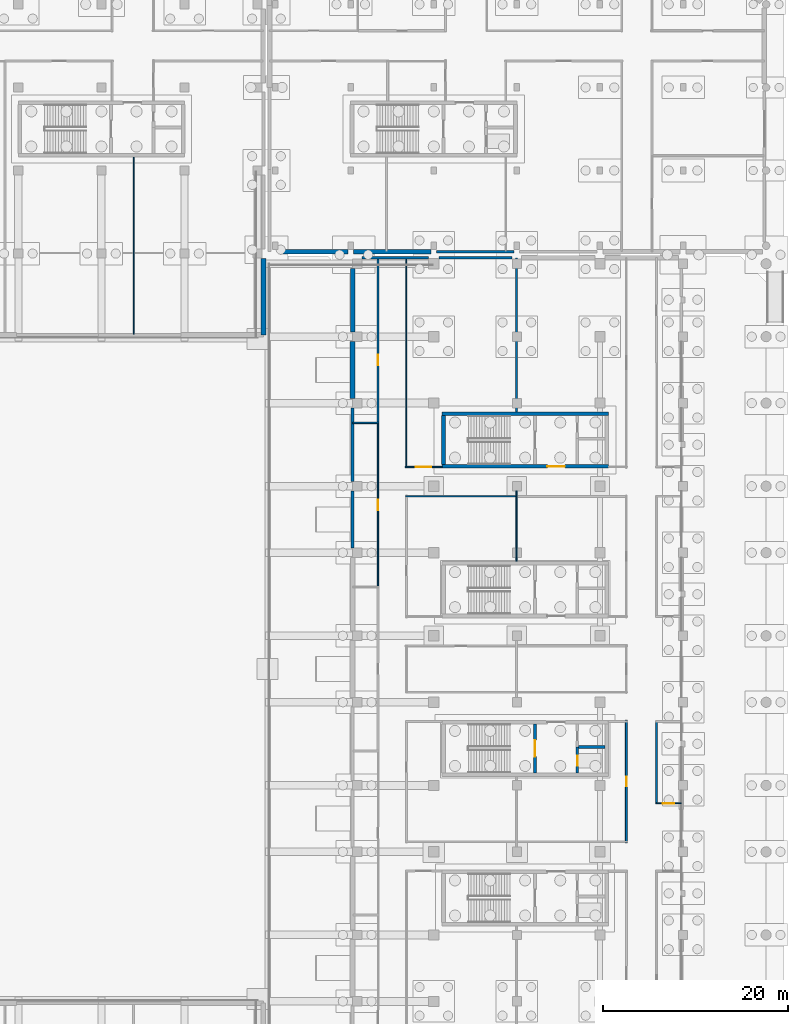
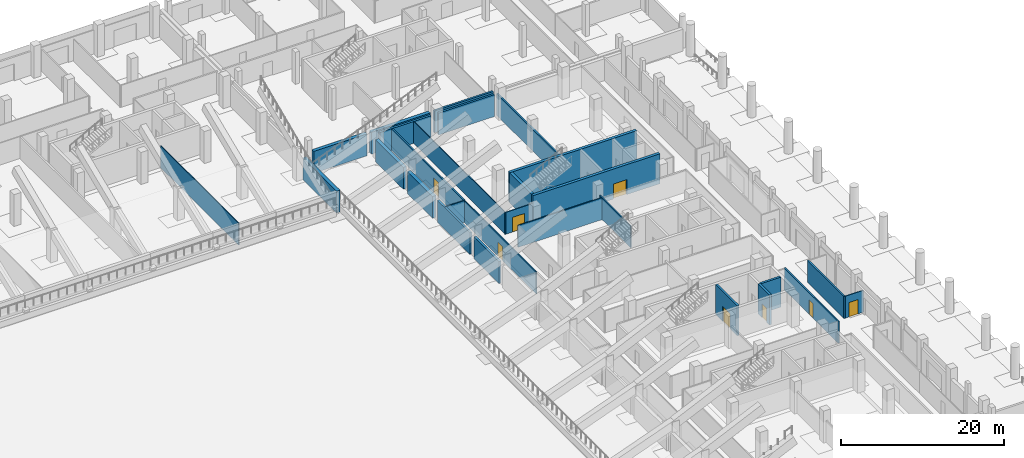
# One storey, part 30 of 53: 28 walls, 8 doors, 8 openings.
"""IFC4 building model written with IfcOpenShell, lengths in metres."""

from ifc_helpers import new_model, si_unit, direction, frame, frame_2d, origin, place, context, subcontext, project, spatial, rectangle, extrude, material, layer, layer_set, type_object, element, fill, save


model = new_model("IFC4")

# Units and contexts
model_context = context("Model", 3, precision=1e-05, world=origin(), true_north=direction((0.0, 1.0)))
body_context = subcontext(model_context, "Body", "Model", "MODEL_VIEW")
ifc_project = project(units=[si_unit("LENGTHUNIT", "METRE"), si_unit("AREAUNIT", "SQUARE_METRE"), si_unit("VOLUMEUNIT", "CUBIC_METRE"), si_unit("PLANEANGLEUNIT", "RADIAN"), si_unit("MASSUNIT", "GRAM", prefix="KILO"), si_unit("THERMODYNAMICTEMPERATUREUNIT", "KELVIN"), si_unit("POWERUNIT", "WATT")], contexts=[model_context])

# Site, building, storey
site_placement = place(None, origin())
site = spatial("IfcSite", under=ifc_project, at=site_placement, CompositionType="ELEMENT")
building_placement = place(site_placement, origin())
building = spatial("IfcBuilding", under=site, at=building_placement, Name="Sindhuravela Promenade Stadium", CompositionType="ELEMENT")
storey_placement = place(building_placement, origin())
storey = spatial("IfcBuildingStorey", under=building, at=storey_placement, Name="L00", CompositionType="ELEMENT", Elevation=0.0)

# Walls
ifc_material_1 = material(Name="Dholpur sandstone ashlar (45 MPa)", Category="masonry")
ifc_layer_1 = layer(ifc_material_1, 0.2900390625)
ifc_layer_set_1 = layer_set([ifc_layer_1], Name="Dholpur sandstone ashlar (45 MPa)")
wall_type_1 = type_object("IfcWallType", Name="EX-WL-SND290", PredefinedType="SOLIDWALL", material=ifc_layer_set_1)
wall_1_placement = place(storey_placement, frame((171.199951171875, 101.304931640625, 0.0), z_axis=(0.0, 0.0, 1.0), x_axis=(0.0, 1.0, 0.0)))
element("IfcWall", 1, at=wall_1_placement, inside=storey, type_object=wall_type_1, Name="Exterior masonry wall EW10 EAST L00", PredefinedType="SOLIDWALL", context=body_context, shape_type="SweptSolid", body=[
    extrude(rectangle(XDim=7.989990234375, YDim=0.2900390625, at=frame_2d((3.9951171875, 0.0))), origin(), (0.0, 0.0, 1.0), 3.280029296875),
])
wall_2_placement = place(storey_placement, frame((180.554931640625, 125.550048828125, 0.0), z_axis=(0.0, 0.0, 1.0), x_axis=(1.0, 0.0, 0.0)))
element("IfcWall", 2, at=wall_2_placement, inside=storey, type_object=wall_type_1, Name="Exterior masonry wall EW10 EAST L00", PredefinedType="SOLIDWALL", context=body_context, shape_type="SweptSolid", body=[
    extrude(rectangle(XDim=7.940185546875, YDim=0.2900390625, at=frame_2d((3.97021484375, 0.0))), origin(), (0.0, 0.0, 1.0), 3.280029296875),
])
wall_3_placement = place(storey_placement, frame((188.695068359375, 126.199951171875, 0.0), z_axis=(0.0, 0.0, 1.0), x_axis=(-1.0, 0.0, 0.0)))
element("IfcWall", 3, at=wall_3_placement, inside=storey, type_object=wall_type_1, Name="Exterior masonry wall EW10 Pavilion NE L00", PredefinedType="SOLIDWALL", context=body_context, shape_type="SweptSolid", body=[
    extrude(rectangle(XDim=8.39013671875, YDim=0.2900390625, at=frame_2d((4.195068359375, 0.0))), origin(), (0.0, 0.0, 1.0), 3.280029296875),
])
ifc_layer_2 = layer(ifc_material_1, 0.31005859375)
ifc_layer_set_2 = layer_set([ifc_layer_2], Name="Dholpur sandstone ashlar (45 MPa)")
wall_type_2 = type_object("IfcWallType", Name="EX-WL-SND310", PredefinedType="SOLIDWALL", material=ifc_layer_set_2)
wall_4_placement = place(storey_placement, frame((171.199951171875, 94.10498046875, 0.0), z_axis=(0.0, 0.0, 1.0), x_axis=(0.0, 1.0, 0.0)))
element("IfcWall", 4, at=wall_4_placement, inside=storey, type_object=wall_type_2, Name="Exterior masonry wall EW09 EAST L00", PredefinedType="SOLIDWALL", context=body_context, shape_type="SweptSolid", body=[
    extrude(rectangle(XDim=6.18994140625, YDim=0.31005859375, at=frame_2d((3.094970703125, 0.0))), origin(), (0.0, 0.0, 1.0), 3.280029296875),
])
wall_5_placement = place(storey_placement, frame((172.205078125, 125.550048828125, 0.0), z_axis=(0.0, 0.0, 1.0), x_axis=(1.0, 0.0, 0.0)))
element("IfcWall", 5, at=wall_5_placement, inside=storey, type_object=wall_type_2, Name="Exterior masonry wall EW09 EAST L00", PredefinedType="SOLIDWALL", context=body_context, shape_type="SweptSolid", body=[
    extrude(rectangle(XDim=7.239990234375, YDim=0.31005859375, at=frame_2d((3.6201171875, 0.0))), origin(), (0.0, 0.0, 1.0), 3.280029296875),
])
ifc_layer_3 = layer(ifc_material_1, 0.47998046875)
ifc_layer_set_3 = layer_set([ifc_layer_3], Name="Dholpur sandstone ashlar (45 MPa)")
wall_type_3 = type_object("IfcWallType", Name="EX-WL-SND480", PredefinedType="SOLIDWALL", material=ifc_layer_set_3)
wall_6_placement = place(storey_placement, frame((171.199951171875, 117.5048828125, 0.0), z_axis=(0.0, 0.0, 1.0), x_axis=(0.0, 1.0, 0.0)))
element("IfcWall", 6, at=wall_6_placement, inside=storey, type_object=wall_type_3, Name="Exterior masonry wall EW08 EAST L00", PredefinedType="SOLIDWALL", context=body_context, shape_type="SweptSolid", body=[
    extrude(rectangle(XDim=6.89013671875, YDim=0.47998046875, at=frame_2d((3.445068359375, 0.0))), origin(), (0.0, 0.0, 1.0), 3.280029296875),
])
wall_7_placement = place(storey_placement, frame((170.695068359375, 126.199951171875, 0.0), z_axis=(0.0, 0.0, 1.0), x_axis=(-1.0, 0.0, 0.0)))
element("IfcWall", 7, at=wall_7_placement, inside=storey, type_object=wall_type_3, Name="Exterior masonry wall EW08 Pavilion NE L00", PredefinedType="SOLIDWALL", context=body_context, shape_type="SweptSolid", body=[
    extrude(rectangle(XDim=7.5400390625, YDim=0.47998046875, at=frame_2d((3.77001953125, 0.0))), origin(), (0.0, 0.0, 1.0), 3.280029296875),
])
ifc_layer_4 = layer(ifc_material_1, 0.5)
ifc_layer_set_4 = layer_set([ifc_layer_4], Name="Dholpur sandstone ashlar (45 MPa)")
wall_type_4 = type_object("IfcWallType", Name="EX-WL-SND500", PredefinedType="SOLIDWALL", material=ifc_layer_set_4)
wall_8_placement = place(storey_placement, frame((171.199951171875, 110.304931640625, 0.0), z_axis=(0.0, 0.0, 1.0), x_axis=(0.0, 1.0, 0.0)))
element("IfcWall", 8, at=wall_8_placement, inside=storey, type_object=wall_type_4, Name="Exterior masonry wall EW07 EAST L00", PredefinedType="SOLIDWALL", context=body_context, shape_type="SweptSolid", body=[
    extrude(rectangle(XDim=6.190185546875, YDim=0.5, at=frame_2d((3.09521484375, 0.0))), origin(), (0.0, 0.0, 1.0), 3.280029296875),
])
wall_9_placement = place(storey_placement, frame((161.550048828125, 125.4951171875, 0.0), z_axis=(0.0, 0.0, 1.0), x_axis=(0.0, -1.0, 0.0)))
element("IfcWall", 9, at=wall_9_placement, inside=storey, type_object=wall_type_4, Name="Exterior masonry wall EW07 NORTH L00", PredefinedType="SOLIDWALL", context=body_context, shape_type="SweptSolid", body=[
    extrude(rectangle(XDim=8.295166015625, YDim=0.5, at=frame_2d((4.1474609375, 0.0))), origin(), (0.0, 0.0, 1.0), 3.280029296875),
])
wall_10_placement = place(storey_placement, frame((179.695068359375, 126.199951171875, 0.0), z_axis=(0.0, 0.0, 1.0), x_axis=(-1.0, 0.0, 0.0)))
element("IfcWall", 10, at=wall_10_placement, inside=storey, type_object=wall_type_4, Name="Exterior masonry wall EW07 Pavilion NE L00", PredefinedType="SOLIDWALL", context=body_context, shape_type="SweptSolid", body=[
    extrude(rectangle(XDim=8.39013671875, YDim=0.5, at=frame_2d((4.195068359375, 0.0))), origin(), (0.0, 0.0, 1.0), 3.280029296875),
])
ifc_material_2 = material(Name="Fire-rated gypsum partition board", Category="gypsum")
ifc_layer_5 = layer(ifc_material_2, 0.110107421875)
ifc_layer_set_5 = layer_set([ifc_layer_5], Name="Fire-rated gypsum partition board")
wall_type_5 = type_object("IfcWallType", Name="IN-WL-PAR110", PredefinedType="PARTITIONING", material=ifc_layer_set_5)
wall_11_placement = place(storey_placement, frame((177.0400390625, 102.81005859375, 0.0), z_axis=(0.0, 0.0, 1.0), x_axis=(0.0, 1.0, 0.0)))
element("IfcWall", 11, at=wall_11_placement, inside=storey, type_object=wall_type_5, Name="Interior partition IW06 EAST L00", PredefinedType="PARTITIONING", context=body_context, shape_type="SweptSolid", body=[
    extrude(rectangle(XDim=22.699951171875, YDim=0.110107421875, at=frame_2d((11.35009765625, 0.0))), origin(), (0.0, 0.0, 1.0), 3.280029296875),
])

# Wall, opening, door
wall_12_placement = place(storey_placement, frame((204.02001953125, 66.43994140625, 0.0), z_axis=(0.0, 0.0, 1.0), x_axis=(1.0, 0.0, 0.0)))
wall_12 = element("IfcWall", 12, at=wall_12_placement, inside=storey, type_object=wall_type_5, Name="Corridor partition IW06 Catering Receiving Kitchen 14", PredefinedType="PARTITIONING", context=body_context, shape_type="SweptSolid", body=[
    extrude(rectangle(XDim=2.780029296875, YDim=0.110107421875, at=frame_2d((1.39013671875, 0.0))), origin(), (0.0, 0.0, 1.0), 3.280029296875),
])
opening_1_placement = place(wall_12_placement, frame((0.764892578125, 0.0, 0.0)))
opening_1 = element("IfcOpeningElement", 13, at=opening_1_placement, cuts=wall_12, Name="Opening ID04", PredefinedType="OPENING", context=body_context, shape_type="SweptSolid", body=[
    extrude(rectangle(XDim=1.25, YDim=2.14990234375, at=frame_2d((0.625, 1.074951171875))), frame((0.0, 0.06494140625, 0.0), z_axis=(0.0, -1.0, 0.0), x_axis=(1.0, 0.0, 0.0)), (0.0, 0.0, 1.0), 0.130126953125),
])
ifc_material_3 = material(Name="Architectural teak timber leaf", Category="wood")
door_type_1 = type_object("IfcDoorType", Name="DR-INT-1250x2150", OperationType="NOTDEFINED", PredefinedType="DOOR", material=ifc_material_3)
door_1_placement = place(opening_1_placement, origin())
door_1 = element("IfcDoor", 14, at=door_1_placement, inside=storey, type_object=door_type_1, Name="Catering Receiving Kitchen 14 door", OperationType="SINGLE_SWING_RIGHT", OverallHeight=2.14990234375, OverallWidth=1.25, PredefinedType="DOOR", context=body_context, shape_type="SweptSolid", body=[
    extrude(rectangle(XDim=1.25, YDim=2.14990234375, at=frame_2d((0.625, 1.074951171875))), frame((0.0, 0.02490234375, 0.0), z_axis=(0.0, -1.0, 0.0), x_axis=(1.0, 0.0, 0.0)), (0.0, 0.0, 1.0), 0.050048828125),
])
fill(opening_1, door_1)

# Wall
wall_13_placement = place(storey_placement, frame((147.482421875, 117.239990234375, 0.0), z_axis=(0.0, 0.0, 1.0), x_axis=(0.0, 1.0, 0.0)))
element("IfcWall", 15, at=wall_13_placement, inside=storey, type_object=wall_type_5, Name="Interior partition IW06 NORTH L00", PredefinedType="PARTITIONING", context=body_context, shape_type="SweptSolid", body=[
    extrude(rectangle(XDim=19.2080078125, YDim=0.110107421875, at=frame_2d((9.60400390625, 0.0))), origin(), (0.0, 0.0, 1.0), 3.280029296875),
])

# Wall, opening, door
ifc_layer_6 = layer(ifc_material_2, 0.1298828125)
ifc_layer_set_6 = layer_set([ifc_layer_6], Name="Fire-rated gypsum partition board")
wall_type_6 = type_object("IfcWallType", Name="IN-WL-PAR130", PredefinedType="PARTITIONING", material=ifc_layer_set_6)
wall_14_placement = place(storey_placement, frame((176.919921875, 102.889892578125, 0.0), z_axis=(0.0, 0.0, 1.0), x_axis=(1.0, 0.0, 0.0)))
wall_14 = element("IfcWall", 16, at=wall_14_placement, inside=storey, type_object=wall_type_6, Name="Corridor partition IW05 Supporters Entrance Hall", PredefinedType="PARTITIONING", context=body_context, shape_type="SweptSolid", body=[
    extrude(rectangle(XDim=3.97802734375, YDim=0.1298828125, at=frame_2d((1.989013671875, 0.0))), origin(), (0.0, 0.0, 1.0), 3.280029296875),
])
opening_2_placement = place(wall_14_placement, frame((1.10009765625, 0.0, 0.0)))
opening_2 = element("IfcOpeningElement", 17, at=opening_2_placement, cuts=wall_14, Name="Opening ID01", PredefinedType="OPENING", context=body_context, shape_type="SweptSolid", body=[
    extrude(rectangle(XDim=1.699951171875, YDim=2.199951171875, at=frame_2d((0.85009765625, 1.10009765625))), frame((0.0, 0.074951171875, 0.0), z_axis=(0.0, -1.0, 0.0), x_axis=(1.0, 0.0, 0.0)), (0.0, 0.0, 1.0), 0.14990234375),
])
door_type_2 = type_object("IfcDoorType", Name="DR-INT-1700x2200", OperationType="DOUBLE_DOOR_SINGLE_SWING", PredefinedType="DOOR", material=ifc_material_3)
door_2_placement = place(opening_2_placement, origin())
door_2 = element("IfcDoor", 18, at=door_2_placement, inside=storey, type_object=door_type_2, Name="Supporters Entrance Hall door", OperationType="DOUBLE_DOOR_SINGLE_SWING", OverallHeight=2.199951171875, OverallWidth=1.699951171875, PredefinedType="DOOR", context=body_context, shape_type="SweptSolid", body=[
    extrude(rectangle(XDim=1.699951171875, YDim=2.199951171875, at=frame_2d((0.85009765625, 1.10009765625))), frame((0.0, 0.02490234375, 0.0), z_axis=(0.0, -1.0, 0.0), x_axis=(1.0, 0.0, 0.0)), (0.0, 0.0, 1.0), 0.050048828125),
])
fill(opening_2, door_2)

# Walls
wall_15_placement = place(storey_placement, frame((188.949951171875, 100.298095703125, 0.0), z_axis=(0.0, 0.0, 1.0), x_axis=(0.0, -1.0, 0.0)))
element("IfcWall", 19, at=wall_15_placement, inside=storey, type_object=wall_type_6, Name="Interior partition IW05 EAST L00", PredefinedType="PARTITIONING", context=body_context, shape_type="SweptSolid", body=[
    extrude(rectangle(XDim=7.64599609375, YDim=0.1298828125, at=frame_2d((3.822998046875, 0.0))), origin(), (0.0, 0.0, 1.0), 3.280029296875),
])
ifc_layer_7 = layer(ifc_material_2, 0.14990234375)
ifc_layer_set_7 = layer_set([ifc_layer_7], Name="Fire-rated gypsum partition board")
wall_type_7 = type_object("IfcWallType", Name="IN-WL-PAR150", PredefinedType="PARTITIONING", material=ifc_layer_set_7)
wall_16_placement = place(storey_placement, frame((176.9599609375, 99.7099609375, 0.0), z_axis=(0.0, 0.0, 1.0), x_axis=(1.0, 0.0, 0.0)))
element("IfcWall", 20, at=wall_16_placement, inside=storey, type_object=wall_type_7, Name="Interior partition IW04 EAST L00", PredefinedType="PARTITIONING", context=body_context, shape_type="SweptSolid", body=[
    extrude(rectangle(XDim=11.949951171875, YDim=0.14990234375, at=frame_2d((5.97509765625, 0.0))), origin(), (0.0, 0.0, 1.0), 3.280029296875),
])

# Wall, opening, door
wall_17_placement = place(storey_placement, frame((173.9599609375, 89.885986328125, 0.0), z_axis=(0.0, 0.0, 1.0), x_axis=(0.0, 1.0, 0.0)))
wall_17 = element("IfcWall", 21, at=wall_17_placement, inside=storey, type_object=wall_type_7, Name="Corridor partition IW04 Catering Receiving Kitchen 6", PredefinedType="PARTITIONING", context=body_context, shape_type="SweptSolid", body=[
    extrude(rectangle(XDim=17.77197265625, YDim=0.14990234375, at=frame_2d((8.885986328125, 0.0))), origin(), (0.0, 0.0, 1.0), 3.280029296875),
])
opening_3_placement = place(wall_17_placement, frame((8.3359375, 0.0, 0.0)))
opening_3 = element("IfcOpeningElement", 22, at=opening_3_placement, cuts=wall_17, Name="Opening ID06", PredefinedType="OPENING", context=body_context, shape_type="SweptSolid", body=[
    extrude(rectangle(XDim=1.10009765625, YDim=2.10009765625, at=frame_2d((0.550048828125, 1.050048828125))), frame((0.0, 0.0849609375, 0.0), z_axis=(0.0, -1.0, 0.0), x_axis=(1.0, 0.0, 0.0)), (0.0, 0.0, 1.0), 0.169921875),
])
door_type_3 = type_object("IfcDoorType", Name="DR-INT-1100x2100", OperationType="NOTDEFINED", PredefinedType="DOOR", material=ifc_material_3)
door_3_placement = place(opening_3_placement, origin())
door_3 = element("IfcDoor", 23, at=door_3_placement, inside=storey, type_object=door_type_3, Name="Catering Receiving Kitchen 6 door", OperationType="SINGLE_SWING_RIGHT", OverallHeight=2.10009765625, OverallWidth=1.10009765625, PredefinedType="DOOR", context=body_context, shape_type="SweptSolid", body=[
    extrude(rectangle(XDim=1.10009765625, YDim=2.10009765625, at=frame_2d((0.550048828125, 1.050048828125))), frame((0.0, 0.02490234375, 0.0), z_axis=(0.0, -1.0, 0.0), x_axis=(1.0, 0.0, 0.0)), (0.0, 0.0, 1.0), 0.050048828125),
])
fill(opening_3, door_3)

# Wall
ifc_layer_8 = layer(ifc_material_2, 0.175048828125)
ifc_layer_set_8 = layer_set([ifc_layer_8], Name="Fire-rated gypsum partition board")
wall_type_8 = type_object("IfcWallType", Name="IN-WL-PAR175", PredefinedType="PARTITIONING", material=ifc_layer_set_8)
wall_18_placement = place(storey_placement, frame((174.0400390625, 107.657958984375, 0.0), z_axis=(0.0, 0.0, 1.0), x_axis=(-1.0, 0.0, 0.0)))
element("IfcWall", 24, at=wall_18_placement, inside=storey, type_object=wall_type_8, Name="Interior partition IW03 EAST L00", PredefinedType="PARTITIONING", context=body_context, shape_type="SweptSolid", body=[
    extrude(rectangle(XDim=2.800048828125, YDim=0.175048828125, at=frame_2d((1.39990234375, 0.0))), origin(), (0.0, 0.0, 1.0), 3.280029296875),
])

# Wall, opening, door
ifc_layer_9 = layer(ifc_material_2, 0.195068359375)
ifc_layer_set_9 = layer_set([ifc_layer_9], Name="Fire-rated gypsum partition board")
wall_type_9 = type_object("IfcWallType", Name="IN-WL-PAR195", PredefinedType="PARTITIONING", material=ifc_layer_set_9)
wall_19_placement = place(storey_placement, frame((200.860107421875, 62.169921875, 0.0), z_axis=(0.0, 0.0, 1.0), x_axis=(0.0, 1.0, 0.0)))
wall_19 = element("IfcWall", 25, at=wall_19_placement, inside=storey, type_object=wall_type_9, Name="Corridor partition IW02 Public Toilet Block East L00", PredefinedType="PARTITIONING", context=body_context, shape_type="SweptSolid", body=[
    extrude(rectangle(XDim=13.260009765625, YDim=0.195068359375, at=frame_2d((6.6298828125, 0.0))), origin(), (0.0, 0.0, 1.0), 3.280029296875),
])
opening_4_placement = place(wall_19_placement, frame((6.1201171875, 0.0, 0.0)))
opening_4 = element("IfcOpeningElement", 26, at=opening_4_placement, cuts=wall_19, Name="Opening ID11", PredefinedType="OPENING", context=body_context, shape_type="SweptSolid", body=[
    extrude(rectangle(XDim=1.02001953125, YDim=2.159912109375, at=frame_2d((0.510009765625, 1.080078125))), frame((0.0, 0.107421875, 0.0), z_axis=(0.0, -1.0, 0.0), x_axis=(1.0, 0.0, 0.0)), (0.0, 0.0, 1.0), 0.215087890625),
])
door_type_4 = type_object("IfcDoorType", Name="DR-INT-1020x2160", OperationType="NOTDEFINED", PredefinedType="DOOR", material=ifc_material_3)
door_4_placement = place(opening_4_placement, origin())
door_4 = element("IfcDoor", 27, at=door_4_placement, inside=storey, type_object=door_type_4, Name="Public Toilet Block East L00 door", OperationType="SINGLE_SWING_LEFT", OverallHeight=2.159912109375, OverallWidth=1.02001953125, PredefinedType="DOOR", context=body_context, shape_type="SweptSolid", body=[
    extrude(rectangle(XDim=1.02001953125, YDim=2.159912109375, at=frame_2d((0.510009765625, 1.080078125))), frame((0.0, 0.02490234375, 0.0), z_axis=(0.0, -1.0, 0.0), x_axis=(1.0, 0.0, 0.0)), (0.0, 0.0, 1.0), 0.050048828125),
])
fill(opening_4, door_4)

wall_20_placement = place(storey_placement, frame((173.9599609375, 107.657958984375, 0.0), z_axis=(0.0, 0.0, 1.0), x_axis=(0.0, 1.0, 0.0)))
wall_20 = element("IfcWall", 28, at=wall_20_placement, inside=storey, type_object=wall_type_9, Name="Corridor partition IW02 Sports Museum Foyer 5", PredefinedType="PARTITIONING", context=body_context, shape_type="SweptSolid", body=[
    extrude(rectangle(XDim=17.89208984375, YDim=0.195068359375, at=frame_2d((8.946044921875, 0.0))), origin(), (0.0, 0.0, 1.0), 3.280029296875),
])
opening_5_placement = place(wall_20_placement, frame((6.252685546875, 0.0, 0.0)))
opening_5 = element("IfcOpeningElement", 29, at=opening_5_placement, cuts=wall_20, Name="Opening ID05", PredefinedType="OPENING", context=body_context, shape_type="SweptSolid", body=[
    extrude(rectangle(XDim=1.14990234375, YDim=2.14990234375, at=frame_2d((0.574951171875, 1.074951171875))), frame((0.0, 0.107421875, 0.0), z_axis=(0.0, -1.0, 0.0), x_axis=(1.0, 0.0, 0.0)), (0.0, 0.0, 1.0), 0.215087890625),
])
door_type_5 = type_object("IfcDoorType", Name="DR-INT-1150x2150", OperationType="NOTDEFINED", PredefinedType="DOOR", material=ifc_material_3)
door_5_placement = place(opening_5_placement, origin())
door_5 = element("IfcDoor", 30, at=door_5_placement, inside=storey, type_object=door_type_5, Name="Sports Museum Foyer 5 door", OperationType="SINGLE_SWING_LEFT", OverallHeight=2.14990234375, OverallWidth=1.14990234375, PredefinedType="DOOR", context=body_context, shape_type="SweptSolid", body=[
    extrude(rectangle(XDim=1.14990234375, YDim=2.14990234375, at=frame_2d((0.574951171875, 1.074951171875))), frame((0.0, 0.02490234375, 0.0), z_axis=(0.0, -1.0, 0.0), x_axis=(1.0, 0.0, 0.0)), (0.0, 0.0, 1.0), 0.050048828125),
])
fill(opening_5, door_5)

# Walls
ifc_layer_10 = layer(ifc_material_2, 0.219970703125)
ifc_layer_set_10 = layer_set([ifc_layer_10], Name="Fire-rated gypsum partition board")
wall_type_10 = type_object("IfcWallType", Name="IN-WL-PAR220", PredefinedType="PARTITIONING", material=ifc_layer_set_10)
wall_21_placement = place(storey_placement, frame((188.949951171875, 125.510009765625, 0.0), z_axis=(0.0, 0.0, 1.0), x_axis=(0.0, -1.0, 0.0)))
element("IfcWall", 31, at=wall_21_placement, inside=storey, type_object=wall_type_10, Name="Interior partition IW01 EAST L00", PredefinedType="PARTITIONING", context=body_context, shape_type="SweptSolid", body=[
    extrude(rectangle(XDim=16.657958984375, YDim=0.219970703125, at=frame_2d((8.3291015625, 0.0))), origin(), (0.0, 0.0, 1.0), 3.280029296875),
])
wall_22_placement = place(storey_placement, frame((204.139892578125, 66.360107421875, 0.0), z_axis=(0.0, 0.0, 1.0), x_axis=(0.0, 1.0, 0.0)))
element("IfcWall", 32, at=wall_22_placement, inside=storey, type_object=wall_type_10, Name="Interior partition IW01 EAST L00", PredefinedType="PARTITIONING", context=body_context, shape_type="SweptSolid", body=[
    extrude(rectangle(XDim=9.02978515625, YDim=0.219970703125, at=frame_2d((4.514892578125, 0.0))), origin(), (0.0, 0.0, 1.0), 3.280029296875),
])

# Wall, opening, door
ifc_material_4 = material(Name="Concrete M50", Category="concrete")
ifc_layer_11 = layer(ifc_material_4, 0.300048828125)
ifc_layer_set_11 = layer_set([ifc_layer_11], Name="Concrete M50")
wall_type_11 = type_object("IfcWallType", Name="RC-SW-300", PredefinedType="SHEAR", material=ifc_layer_set_11)
wall_23_placement = place(storey_placement, frame((190.949951171875, 69.75, 0.0), z_axis=(0.0, 0.0, 1.0), x_axis=(0.0, 1.0, 0.0)))
wall_23 = element("IfcWall", 33, at=wall_23_placement, inside=storey, type_object=wall_type_11, Name="Core shear wall C06-ST (L00)", PredefinedType="SHEAR", context=body_context, shape_type="SweptSolid", body=[
    extrude(rectangle(XDim=5.300048828125, YDim=0.300048828125, at=frame_2d((2.64990234375, 0.0))), origin(), (0.0, 0.0, 1.0), 4.5),
])
opening_6_placement = place(wall_23_placement, frame((1.75, 0.0, 0.0)))
opening_6 = element("IfcOpeningElement", 34, at=opening_6_placement, cuts=wall_23, Name="Opening FD01", PredefinedType="OPENING", context=body_context, shape_type="SweptSolid", body=[
    extrude(rectangle(XDim=1.800048828125, YDim=2.25, at=frame_2d((0.89990234375, 1.125))), frame((0.0, 0.159912109375, 0.0), z_axis=(0.0, -1.0, 0.0), x_axis=(1.0, 0.0, 0.0)), (0.0, 0.0, 1.0), 0.320068359375),
])
ifc_material_5 = material(Name="Architectural wrought steel E350", Category="steel")
door_type_6 = type_object("IfcDoorType", Name="DR-CORE-1800x2250", OperationType="DOUBLE_DOOR_SINGLE_SWING", PredefinedType="DOOR", material=ifc_material_5)
door_6_placement = place(opening_6_placement, origin())
door_6 = element("IfcDoor", 35, at=door_6_placement, inside=storey, type_object=door_type_6, Name="Stair ST06 lobby fire door (L00)", OperationType="DOUBLE_DOOR_SINGLE_SWING", OverallHeight=2.25, OverallWidth=1.800048828125, PredefinedType="DOOR", context=body_context, shape_type="SweptSolid", body=[
    extrude(rectangle(XDim=1.800048828125, YDim=2.25, at=frame_2d((0.89990234375, 1.125))), frame((0.0, 0.02490234375, 0.0), z_axis=(0.0, -1.0, 0.0), x_axis=(1.0, 0.0, 0.0)), (0.0, 0.0, 1.0), 0.050048828125),
])
fill(opening_6, door_6)

wall_24_placement = place(storey_placement, frame((195.550048828125, 69.75, 0.0), z_axis=(0.0, 0.0, 1.0), x_axis=(0.0, 1.0, 0.0)))
wall_24 = element("IfcWall", 36, at=wall_24_placement, inside=storey, type_object=wall_type_11, Name="Core shear wall C06-LFT (L00)", PredefinedType="SHEAR", context=body_context, shape_type="SweptSolid", body=[
    extrude(rectangle(XDim=2.800048828125, YDim=0.300048828125, at=frame_2d((1.39990234375, 0.0))), origin(), (0.0, 0.0, 1.0), 4.5),
])
opening_7_placement = place(wall_24_placement, frame((0.77490234375, 0.0, 0.0)))
opening_7 = element("IfcOpeningElement", 37, at=opening_7_placement, cuts=wall_24, Name="Opening LD", PredefinedType="OPENING", context=body_context, shape_type="SweptSolid", body=[
    extrude(rectangle(XDim=1.10009765625, YDim=2.10009765625, at=frame_2d((0.550048828125, 1.050048828125))), frame((0.0, 0.159912109375, 0.0), z_axis=(0.0, -1.0, 0.0), x_axis=(1.0, 0.0, 0.0)), (0.0, 0.0, 1.0), 0.320068359375),
])
door_type_7 = type_object("IfcDoorType", Name="DR-LFT-1100x2100", OperationType="DOUBLE_DOOR_SLIDING", PredefinedType="DOOR", material=ifc_material_5)
door_7_placement = place(opening_7_placement, origin())
door_7 = element("IfcDoor", 38, at=door_7_placement, inside=storey, type_object=door_type_7, Name="Lift PL02 landing door (L00)", OperationType="DOUBLE_DOOR_SLIDING", OverallHeight=2.10009765625, OverallWidth=1.10009765625, PredefinedType="DOOR", context=body_context, shape_type="SweptSolid", body=[
    extrude(rectangle(XDim=1.10009765625, YDim=2.10009765625, at=frame_2d((0.550048828125, 1.050048828125))), frame((0.0, 0.02490234375, 0.0), z_axis=(0.0, -1.0, 0.0), x_axis=(1.0, 0.0, 0.0)), (0.0, 0.0, 1.0), 0.050048828125),
])
fill(opening_7, door_7)

# Wall
wall_25_placement = place(storey_placement, frame((195.699951171875, 72.550048828125, 0.0), z_axis=(0.0, 0.0, 1.0), x_axis=(1.0, 0.0, 0.0)))
element("IfcWall", 39, at=wall_25_placement, inside=storey, type_object=wall_type_11, Name="Core shear wall C06-DIV (L00)", PredefinedType="SHEAR", context=body_context, shape_type="SweptSolid", body=[
    extrude(rectangle(XDim=2.85009765625, YDim=0.300048828125, at=frame_2d((1.425048828125, 0.0))), origin(), (0.0, 0.0, 1.0), 4.5),
])

# Wall, opening, door
ifc_layer_12 = layer(ifc_material_4, 0.39990234375)
ifc_layer_set_12 = layer_set([ifc_layer_12], Name="Concrete M50")
wall_type_12 = type_object("IfcWallType", Name="RC-SW-400", PredefinedType="SHEAR", material=ifc_layer_set_12)
wall_26_placement = place(storey_placement, frame((180.89990234375, 102.949951171875, 0.0), z_axis=(0.0, 0.0, 1.0), x_axis=(1.0, 0.0, 0.0)))
wall_26 = element("IfcWall", 40, at=wall_26_placement, inside=storey, type_object=wall_type_12, Name="Core shear wall C08-S (L00)", PredefinedType="SHEAR", context=body_context, shape_type="SweptSolid", body=[
    extrude(rectangle(XDim=18.0, YDim=0.39990234375, at=frame_2d((9.0, 0.0))), origin(), (0.0, 0.0, 1.0), 4.5),
])
opening_8_placement = place(wall_26_placement, frame((11.39990234375, 0.0, 0.0)))
opening_8 = element("IfcOpeningElement", 41, at=opening_8_placement, cuts=wall_26, Name="Opening FD02", PredefinedType="OPENING", context=body_context, shape_type="SweptSolid", body=[
    extrude(rectangle(XDim=1.89990234375, YDim=2.25, at=frame_2d((0.949951171875, 1.125))), frame((0.0, 0.2099609375, 0.0), z_axis=(0.0, -1.0, 0.0), x_axis=(1.0, 0.0, 0.0)), (0.0, 0.0, 1.0), 0.419921875),
])
door_type_8 = type_object("IfcDoorType", Name="DR-LOB-1900x2250", OperationType="DOUBLE_DOOR_SINGLE_SWING", PredefinedType="DOOR", material=ifc_material_5)
door_8_placement = place(opening_8_placement, origin())
door_8 = element("IfcDoor", 42, at=door_8_placement, inside=storey, type_object=door_type_8, Name="Protected lobby entrance door C08 (L00)", OperationType="DOUBLE_DOOR_SINGLE_SWING", OverallHeight=2.25, OverallWidth=1.89990234375, PredefinedType="DOOR", context=body_context, shape_type="SweptSolid", body=[
    extrude(rectangle(XDim=1.89990234375, YDim=2.25, at=frame_2d((0.949951171875, 1.125))), frame((0.0, 0.02490234375, 0.0), z_axis=(0.0, -1.0, 0.0), x_axis=(1.0, 0.0, 0.0)), (0.0, 0.0, 1.0), 0.050048828125),
])
fill(opening_8, door_8)

# Walls
wall_27_placement = place(storey_placement, frame((198.89990234375, 108.64990234375, 0.0), z_axis=(0.0, 0.0, 1.0), x_axis=(-1.0, 0.0, 0.0)))
element("IfcWall", 43, at=wall_27_placement, inside=storey, type_object=wall_type_12, Name="Core shear wall C08-N (L00)", PredefinedType="SHEAR", context=body_context, shape_type="SweptSolid", body=[
    extrude(rectangle(XDim=18.0, YDim=0.39990234375, at=frame_2d((9.0, 0.0))), origin(), (0.0, 0.0, 1.0), 4.5),
])
wall_28_placement = place(storey_placement, frame((181.050048828125, 108.449951171875, 0.0), z_axis=(0.0, 0.0, 1.0), x_axis=(0.0, -1.0, 0.0)))
element("IfcWall", 44, at=wall_28_placement, inside=storey, type_object=wall_type_12, Name="Core shear wall C08-W (L00)", PredefinedType="SHEAR", context=body_context, shape_type="SweptSolid", body=[
    extrude(rectangle(XDim=5.300048828125, YDim=0.39990234375, at=frame_2d((2.64990234375, 0.0))), origin(), (0.0, 0.0, 1.0), 4.5),
])

save(model, "model.ifc")
